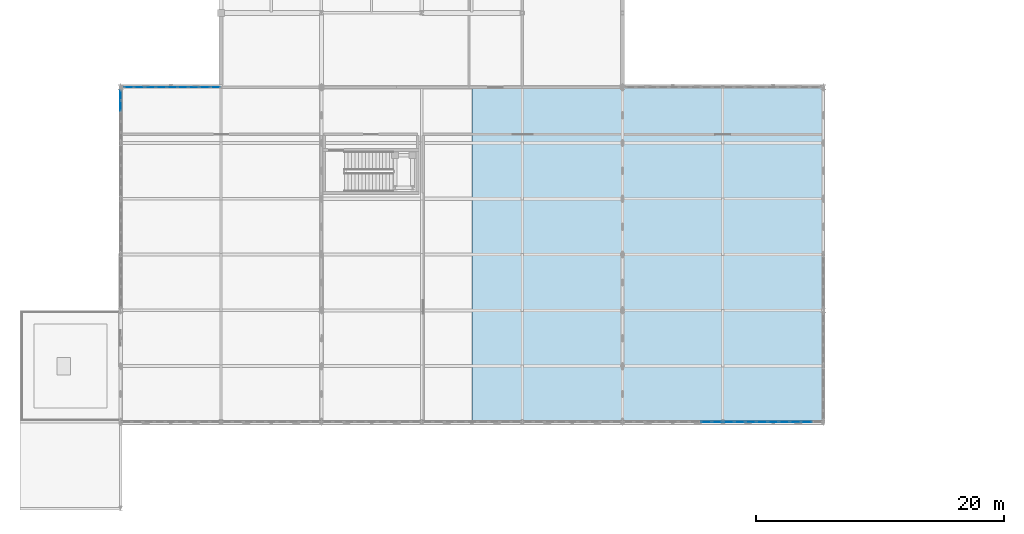
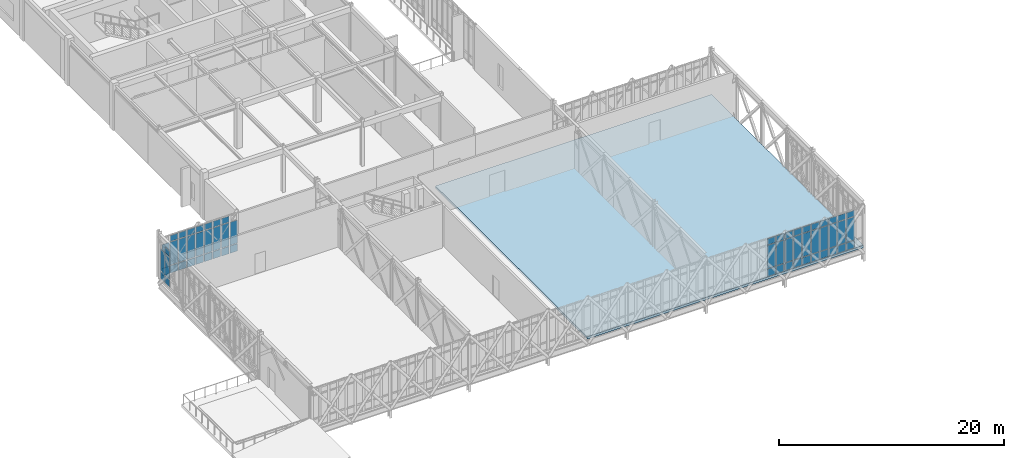
# One storey, part 67 of 107: 60 plates, 1 slab, 4 elements without a shape of their own.
"""IFC4 building model written with IfcOpenShell, lengths in metres."""

from ifc_helpers import new_model, si_unit, direction, frame, origin, origin_2d, place, context, subcontext, project, spatial, polyline, rectangle, outline, extrude, material, layer, layer_set, type_object, element, aggregate, save


model = new_model("IFC4")

# Units and contexts
model_context = context("Model", 3, precision=1e-05, world=origin(), true_north=direction((0.0, 1.0)))
body_context = subcontext(model_context, "Body", "Model", "MODEL_VIEW")
ifc_project = project(units=[si_unit("LENGTHUNIT", "METRE"), si_unit("AREAUNIT", "SQUARE_METRE"), si_unit("VOLUMEUNIT", "CUBIC_METRE"), si_unit("PLANEANGLEUNIT", "RADIAN"), si_unit("MASSUNIT", "GRAM", prefix="KILO")], contexts=[model_context])

# Site, building, storey
site_placement = place(None, origin())
site = spatial("IfcSite", under=ifc_project, at=site_placement, CompositionType="ELEMENT")
building_placement = place(site_placement, origin())
building = spatial("IfcBuilding", under=site, at=building_placement, Name="Tarnveldt Square Police Headquarters", CompositionType="ELEMENT")
storey_placement = place(building_placement, frame((0.0, 0.0, 14.699951171875)))
storey = spatial("IfcBuildingStorey", under=building, at=storey_placement, Name="L03", CompositionType="ELEMENT", Elevation=14.699951171875)

# Curtain wall, plates
ifc_material_1 = material(Name="UL 752 Level III laminated ballistic vision glass", Category="glass")
curtain_wall_type_1 = type_object("IfcCurtainWallType", Name="CW-BL-810x422", PredefinedType="USERDEFINED", material=ifc_material_1)
curtain_wall_1_placement = place(storey_placement, origin())
curtain_wall_1 = element("IfcCurtainWall", 1, at=curtain_wall_1_placement, inside=storey, type_object=curtain_wall_type_1, Name="L03 Curtain Wall CW-L03-028", ObjectType="BALLISTIC CURTAIN WALL", PredefinedType="USERDEFINED")
ifc_layer_1 = layer(ifc_material_1, 0.0380859375)
ifc_layer_set_1 = layer_set([ifc_layer_1], Name="UL 752 Level III laminated ballistic vision glass")
plate_type_1 = type_object("IfcPlateType", Name="CWP-BAL-38", PredefinedType="CURTAIN_PANEL", material=ifc_layer_set_1)
plate_1_placement = place(storey_placement, frame((55.35009765625, 7.0, 0.074951171875), z_axis=(0.0, 0.0, 1.0), x_axis=(1.0, 0.0, 0.0)))
plate_1 = element("IfcPlate", 2, at=plate_1_placement, type_object=plate_type_1, Name="CW-BL12 panel 8.1", PredefinedType="CURTAIN_PANEL", context=body_context, shape_type="SweptSolid", body=[
    extrude(rectangle(XDim=0.81494140625, YDim=0.0380859375, at=origin_2d()), origin(), (0.0, 0.0, 1.0), 0.78759765625),
])
plate_2_placement = place(storey_placement, frame((55.35009765625, 7.0, 0.9375), z_axis=(0.0, 0.0, 1.0), x_axis=(1.0, 0.0, 0.0)))
plate_2 = element("IfcPlate", 3, at=plate_2_placement, type_object=plate_type_1, Name="CW-BL12 panel 8.2", PredefinedType="CURTAIN_PANEL", context=body_context, shape_type="SweptSolid", body=[
    extrude(rectangle(XDim=0.81494140625, YDim=0.0380859375, at=origin_2d()), origin(), (0.0, 0.0, 1.0), 2.4951171875),
])
plate_3_placement = place(storey_placement, frame((55.35009765625, 7.0, 3.5078125), z_axis=(0.0, 0.0, 1.0), x_axis=(1.0, 0.0, 0.0)))
plate_3 = element("IfcPlate", 4, at=plate_3_placement, type_object=plate_type_1, Name="CW-BL12 panel 8.3", PredefinedType="CURTAIN_PANEL", context=body_context, shape_type="SweptSolid", body=[
    extrude(rectangle(XDim=0.81494140625, YDim=0.0380859375, at=origin_2d()), origin(), (0.0, 0.0, 1.0), 0.637451171875),
])
plate_4_placement = place(storey_placement, frame((56.228759765625, 7.0, 0.074951171875), z_axis=(0.0, 0.0, 1.0), x_axis=(1.0, 0.0, 0.0)))
plate_4 = element("IfcPlate", 5, at=plate_4_placement, type_object=plate_type_1, Name="CW-BL12 panel 9.1", PredefinedType="CURTAIN_PANEL", context=body_context, shape_type="SweptSolid", body=[
    extrude(rectangle(XDim=0.7724609375, YDim=0.0380859375, at=origin_2d()), origin(), (0.0, 0.0, 1.0), 0.78759765625),
])
plate_5_placement = place(storey_placement, frame((56.228759765625, 7.0, 0.9375), z_axis=(0.0, 0.0, 1.0), x_axis=(1.0, 0.0, 0.0)))
plate_5 = element("IfcPlate", 6, at=plate_5_placement, type_object=plate_type_1, Name="CW-BL12 panel 9.2", PredefinedType="CURTAIN_PANEL", context=body_context, shape_type="SweptSolid", body=[
    extrude(rectangle(XDim=0.7724609375, YDim=0.0380859375, at=origin_2d()), origin(), (0.0, 0.0, 1.0), 2.4951171875),
])
plate_6_placement = place(storey_placement, frame((56.228759765625, 7.0, 3.5078125), z_axis=(0.0, 0.0, 1.0), x_axis=(1.0, 0.0, 0.0)))
plate_6 = element("IfcPlate", 7, at=plate_6_placement, type_object=plate_type_1, Name="CW-BL12 panel 9.3", PredefinedType="CURTAIN_PANEL", context=body_context, shape_type="SweptSolid", body=[
    extrude(rectangle(XDim=0.7724609375, YDim=0.0380859375, at=origin_2d()), origin(), (0.0, 0.0, 1.0), 0.637451171875),
])
aggregate(curtain_wall_1, [plate_1, plate_2, plate_3, plate_4, plate_5, plate_6])

curtain_wall_2_placement = place(storey_placement, origin())
curtain_wall_2 = element("IfcCurtainWall", 8, at=curtain_wall_2_placement, inside=storey, type_object=curtain_wall_type_1, Name="L03 Curtain Wall CW-L03-029", ObjectType="BALLISTIC CURTAIN WALL", PredefinedType="USERDEFINED")
plate_7_placement = place(storey_placement, frame((57.171142578125, 7.0, 0.074951171875), z_axis=(0.0, 0.0, 1.0), x_axis=(1.0, 0.0, 0.0)))
plate_7 = element("IfcPlate", 9, at=plate_7_placement, type_object=plate_type_1, Name="CW-BL12 panel 1.1", PredefinedType="CURTAIN_PANEL", context=body_context, shape_type="SweptSolid", body=[
    extrude(rectangle(XDim=0.7724609375, YDim=0.0380859375, at=origin_2d()), origin(), (0.0, 0.0, 1.0), 0.78759765625),
])
plate_8_placement = place(storey_placement, frame((57.171142578125, 7.0, 0.9375), z_axis=(0.0, 0.0, 1.0), x_axis=(1.0, 0.0, 0.0)))
plate_8 = element("IfcPlate", 10, at=plate_8_placement, type_object=plate_type_1, Name="CW-BL12 panel 1.2", PredefinedType="CURTAIN_PANEL", context=body_context, shape_type="SweptSolid", body=[
    extrude(rectangle(XDim=0.7724609375, YDim=0.0380859375, at=origin_2d()), origin(), (0.0, 0.0, 1.0), 2.4951171875),
])
plate_9_placement = place(storey_placement, frame((57.171142578125, 7.0, 3.5078125), z_axis=(0.0, 0.0, 1.0), x_axis=(1.0, 0.0, 0.0)))
plate_9 = element("IfcPlate", 11, at=plate_9_placement, type_object=plate_type_1, Name="CW-BL12 panel 1.3", PredefinedType="CURTAIN_PANEL", context=body_context, shape_type="SweptSolid", body=[
    extrude(rectangle(XDim=0.7724609375, YDim=0.0380859375, at=origin_2d()), origin(), (0.0, 0.0, 1.0), 0.637451171875),
])
plate_10_placement = place(storey_placement, frame((58.050048828125, 7.0, 0.074951171875), z_axis=(0.0, 0.0, 1.0), x_axis=(1.0, 0.0, 0.0)))
plate_10 = element("IfcPlate", 12, at=plate_10_placement, type_object=plate_type_1, Name="CW-BL12 panel 2.1", PredefinedType="CURTAIN_PANEL", context=body_context, shape_type="SweptSolid", body=[
    extrude(rectangle(XDim=0.81494140625, YDim=0.0380859375, at=origin_2d()), origin(), (0.0, 0.0, 1.0), 0.78759765625),
])
plate_11_placement = place(storey_placement, frame((58.050048828125, 7.0, 0.9375), z_axis=(0.0, 0.0, 1.0), x_axis=(1.0, 0.0, 0.0)))
plate_11 = element("IfcPlate", 13, at=plate_11_placement, type_object=plate_type_1, Name="CW-BL12 panel 2.2", PredefinedType="CURTAIN_PANEL", context=body_context, shape_type="SweptSolid", body=[
    extrude(rectangle(XDim=0.81494140625, YDim=0.0380859375, at=origin_2d()), origin(), (0.0, 0.0, 1.0), 2.4951171875),
])
plate_12_placement = place(storey_placement, frame((58.050048828125, 7.0, 3.5078125), z_axis=(0.0, 0.0, 1.0), x_axis=(1.0, 0.0, 0.0)))
plate_12 = element("IfcPlate", 14, at=plate_12_placement, type_object=plate_type_1, Name="CW-BL12 panel 2.3", PredefinedType="CURTAIN_PANEL", context=body_context, shape_type="SweptSolid", body=[
    extrude(rectangle(XDim=0.81494140625, YDim=0.0380859375, at=origin_2d()), origin(), (0.0, 0.0, 1.0), 0.637451171875),
])
plate_13_placement = place(storey_placement, frame((58.949951171875, 7.0, 0.074951171875), z_axis=(0.0, 0.0, 1.0), x_axis=(1.0, 0.0, 0.0)))
plate_13 = element("IfcPlate", 15, at=plate_13_placement, type_object=plate_type_1, Name="CW-BL12 panel 3.1", PredefinedType="CURTAIN_PANEL", context=body_context, shape_type="SweptSolid", body=[
    extrude(rectangle(XDim=0.81494140625, YDim=0.0380859375, at=origin_2d()), origin(), (0.0, 0.0, 1.0), 0.78759765625),
])
plate_14_placement = place(storey_placement, frame((58.949951171875, 7.0, 0.9375), z_axis=(0.0, 0.0, 1.0), x_axis=(1.0, 0.0, 0.0)))
plate_14 = element("IfcPlate", 16, at=plate_14_placement, type_object=plate_type_1, Name="CW-BL12 panel 3.2", PredefinedType="CURTAIN_PANEL", context=body_context, shape_type="SweptSolid", body=[
    extrude(rectangle(XDim=0.81494140625, YDim=0.0380859375, at=origin_2d()), origin(), (0.0, 0.0, 1.0), 2.4951171875),
])
plate_15_placement = place(storey_placement, frame((58.949951171875, 7.0, 3.5078125), z_axis=(0.0, 0.0, 1.0), x_axis=(1.0, 0.0, 0.0)))
plate_15 = element("IfcPlate", 17, at=plate_15_placement, type_object=plate_type_1, Name="CW-BL12 panel 3.3", PredefinedType="CURTAIN_PANEL", context=body_context, shape_type="SweptSolid", body=[
    extrude(rectangle(XDim=0.81494140625, YDim=0.0380859375, at=origin_2d()), origin(), (0.0, 0.0, 1.0), 0.637451171875),
])
plate_16_placement = place(storey_placement, frame((59.85009765625, 7.0, 0.074951171875), z_axis=(0.0, 0.0, 1.0), x_axis=(1.0, 0.0, 0.0)))
plate_16 = element("IfcPlate", 18, at=plate_16_placement, type_object=plate_type_1, Name="CW-BL12 panel 4.1", PredefinedType="CURTAIN_PANEL", context=body_context, shape_type="SweptSolid", body=[
    extrude(rectangle(XDim=0.81494140625, YDim=0.0380859375, at=origin_2d()), origin(), (0.0, 0.0, 1.0), 0.78759765625),
])
plate_17_placement = place(storey_placement, frame((59.85009765625, 7.0, 0.9375), z_axis=(0.0, 0.0, 1.0), x_axis=(1.0, 0.0, 0.0)))
plate_17 = element("IfcPlate", 19, at=plate_17_placement, type_object=plate_type_1, Name="CW-BL12 panel 4.2", PredefinedType="CURTAIN_PANEL", context=body_context, shape_type="SweptSolid", body=[
    extrude(rectangle(XDim=0.81494140625, YDim=0.0380859375, at=origin_2d()), origin(), (0.0, 0.0, 1.0), 2.4951171875),
])
plate_18_placement = place(storey_placement, frame((59.85009765625, 7.0, 3.5078125), z_axis=(0.0, 0.0, 1.0), x_axis=(1.0, 0.0, 0.0)))
plate_18 = element("IfcPlate", 20, at=plate_18_placement, type_object=plate_type_1, Name="CW-BL12 panel 4.3", PredefinedType="CURTAIN_PANEL", context=body_context, shape_type="SweptSolid", body=[
    extrude(rectangle(XDim=0.81494140625, YDim=0.0380859375, at=origin_2d()), origin(), (0.0, 0.0, 1.0), 0.637451171875),
])
plate_19_placement = place(storey_placement, frame((60.75, 7.0, 0.074951171875), z_axis=(0.0, 0.0, 1.0), x_axis=(1.0, 0.0, 0.0)))
plate_19 = element("IfcPlate", 21, at=plate_19_placement, type_object=plate_type_1, Name="CW-BL12 panel 5.1", PredefinedType="CURTAIN_PANEL", context=body_context, shape_type="SweptSolid", body=[
    extrude(rectangle(XDim=0.81494140625, YDim=0.0380859375, at=origin_2d()), origin(), (0.0, 0.0, 1.0), 0.78759765625),
])
plate_20_placement = place(storey_placement, frame((60.75, 7.0, 0.9375), z_axis=(0.0, 0.0, 1.0), x_axis=(1.0, 0.0, 0.0)))
plate_20 = element("IfcPlate", 22, at=plate_20_placement, type_object=plate_type_1, Name="CW-BL12 panel 5.2", PredefinedType="CURTAIN_PANEL", context=body_context, shape_type="SweptSolid", body=[
    extrude(rectangle(XDim=0.81494140625, YDim=0.0380859375, at=origin_2d()), origin(), (0.0, 0.0, 1.0), 2.4951171875),
])
plate_21_placement = place(storey_placement, frame((60.75, 7.0, 3.5078125), z_axis=(0.0, 0.0, 1.0), x_axis=(1.0, 0.0, 0.0)))
plate_21 = element("IfcPlate", 23, at=plate_21_placement, type_object=plate_type_1, Name="CW-BL12 panel 5.3", PredefinedType="CURTAIN_PANEL", context=body_context, shape_type="SweptSolid", body=[
    extrude(rectangle(XDim=0.81494140625, YDim=0.0380859375, at=origin_2d()), origin(), (0.0, 0.0, 1.0), 0.637451171875),
])
plate_22_placement = place(storey_placement, frame((61.64990234375, 7.0, 0.074951171875), z_axis=(0.0, 0.0, 1.0), x_axis=(1.0, 0.0, 0.0)))
plate_22 = element("IfcPlate", 24, at=plate_22_placement, type_object=plate_type_1, Name="CW-BL12 panel 6.1", PredefinedType="CURTAIN_PANEL", context=body_context, shape_type="SweptSolid", body=[
    extrude(rectangle(XDim=0.81494140625, YDim=0.0380859375, at=origin_2d()), origin(), (0.0, 0.0, 1.0), 0.78759765625),
])
plate_23_placement = place(storey_placement, frame((61.64990234375, 7.0, 0.9375), z_axis=(0.0, 0.0, 1.0), x_axis=(1.0, 0.0, 0.0)))
plate_23 = element("IfcPlate", 25, at=plate_23_placement, type_object=plate_type_1, Name="CW-BL12 panel 6.2", PredefinedType="CURTAIN_PANEL", context=body_context, shape_type="SweptSolid", body=[
    extrude(rectangle(XDim=0.81494140625, YDim=0.0380859375, at=origin_2d()), origin(), (0.0, 0.0, 1.0), 2.4951171875),
])
plate_24_placement = place(storey_placement, frame((61.64990234375, 7.0, 3.5078125), z_axis=(0.0, 0.0, 1.0), x_axis=(1.0, 0.0, 0.0)))
plate_24 = element("IfcPlate", 26, at=plate_24_placement, type_object=plate_type_1, Name="CW-BL12 panel 6.3", PredefinedType="CURTAIN_PANEL", context=body_context, shape_type="SweptSolid", body=[
    extrude(rectangle(XDim=0.81494140625, YDim=0.0380859375, at=origin_2d()), origin(), (0.0, 0.0, 1.0), 0.637451171875),
])
plate_25_placement = place(storey_placement, frame((62.550048828125, 7.0, 0.074951171875), z_axis=(0.0, 0.0, 1.0), x_axis=(1.0, 0.0, 0.0)))
plate_25 = element("IfcPlate", 27, at=plate_25_placement, type_object=plate_type_1, Name="CW-BL12 panel 7.1", PredefinedType="CURTAIN_PANEL", context=body_context, shape_type="SweptSolid", body=[
    extrude(rectangle(XDim=0.81494140625, YDim=0.0380859375, at=origin_2d()), origin(), (0.0, 0.0, 1.0), 0.78759765625),
])
plate_26_placement = place(storey_placement, frame((62.550048828125, 7.0, 0.9375), z_axis=(0.0, 0.0, 1.0), x_axis=(1.0, 0.0, 0.0)))
plate_26 = element("IfcPlate", 28, at=plate_26_placement, type_object=plate_type_1, Name="CW-BL12 panel 7.2", PredefinedType="CURTAIN_PANEL", context=body_context, shape_type="SweptSolid", body=[
    extrude(rectangle(XDim=0.81494140625, YDim=0.0380859375, at=origin_2d()), origin(), (0.0, 0.0, 1.0), 2.4951171875),
])
plate_27_placement = place(storey_placement, frame((62.550048828125, 7.0, 3.5078125), z_axis=(0.0, 0.0, 1.0), x_axis=(1.0, 0.0, 0.0)))
plate_27 = element("IfcPlate", 29, at=plate_27_placement, type_object=plate_type_1, Name="CW-BL12 panel 7.3", PredefinedType="CURTAIN_PANEL", context=body_context, shape_type="SweptSolid", body=[
    extrude(rectangle(XDim=0.81494140625, YDim=0.0380859375, at=origin_2d()), origin(), (0.0, 0.0, 1.0), 0.637451171875),
])
plate_28_placement = place(storey_placement, frame((63.449951171875, 7.0, 0.074951171875), z_axis=(0.0, 0.0, 1.0), x_axis=(1.0, 0.0, 0.0)))
plate_28 = element("IfcPlate", 30, at=plate_28_placement, type_object=plate_type_1, Name="CW-BL12 panel 8.1", PredefinedType="CURTAIN_PANEL", context=body_context, shape_type="SweptSolid", body=[
    extrude(rectangle(XDim=0.81494140625, YDim=0.0380859375, at=origin_2d()), origin(), (0.0, 0.0, 1.0), 0.78759765625),
])
plate_29_placement = place(storey_placement, frame((63.449951171875, 7.0, 0.9375), z_axis=(0.0, 0.0, 1.0), x_axis=(1.0, 0.0, 0.0)))
plate_29 = element("IfcPlate", 31, at=plate_29_placement, type_object=plate_type_1, Name="CW-BL12 panel 8.2", PredefinedType="CURTAIN_PANEL", context=body_context, shape_type="SweptSolid", body=[
    extrude(rectangle(XDim=0.81494140625, YDim=0.0380859375, at=origin_2d()), origin(), (0.0, 0.0, 1.0), 2.4951171875),
])
plate_30_placement = place(storey_placement, frame((63.449951171875, 7.0, 3.5078125), z_axis=(0.0, 0.0, 1.0), x_axis=(1.0, 0.0, 0.0)))
plate_30 = element("IfcPlate", 32, at=plate_30_placement, type_object=plate_type_1, Name="CW-BL12 panel 8.3", PredefinedType="CURTAIN_PANEL", context=body_context, shape_type="SweptSolid", body=[
    extrude(rectangle(XDim=0.81494140625, YDim=0.0380859375, at=origin_2d()), origin(), (0.0, 0.0, 1.0), 0.637451171875),
])
aggregate(curtain_wall_2, [plate_7, plate_8, plate_9, plate_10, plate_11, plate_12, plate_13, plate_14, plate_15, plate_16, plate_17, plate_18, plate_19, plate_20, plate_21, plate_22, plate_23, plate_24, plate_25, plate_26, plate_27, plate_28, plate_29, plate_30])

curtain_wall_type_2 = type_object("IfcCurtainWallType", Name="CW-BL-790x422", PredefinedType="USERDEFINED", material=ifc_material_1)
curtain_wall_3_placement = place(storey_placement, origin())
curtain_wall_3 = element("IfcCurtainWall", 33, at=curtain_wall_3_placement, inside=storey, type_object=curtain_wall_type_2, Name="L03 Curtain Wall CW-L03-030", ObjectType="BALLISTIC CURTAIN WALL", PredefinedType="USERDEFINED")
plate_31_placement = place(storey_placement, frame((8.761962890625, 34.0, 0.074951171875), z_axis=(0.0, 0.0, 1.0), x_axis=(1.0, 0.0, 0.0)))
plate_31 = element("IfcPlate", 34, at=plate_31_placement, type_object=plate_type_1, Name="CW-BL14 panel 1.1", PredefinedType="CURTAIN_PANEL", context=body_context, shape_type="SweptSolid", body=[
    extrude(rectangle(XDim=0.75, YDim=0.0380859375, at=origin_2d()), origin(), (0.0, 0.0, 1.0), 0.78759765625),
])
plate_32_placement = place(storey_placement, frame((8.761962890625, 34.0, 0.9375), z_axis=(0.0, 0.0, 1.0), x_axis=(1.0, 0.0, 0.0)))
plate_32 = element("IfcPlate", 35, at=plate_32_placement, type_object=plate_type_1, Name="CW-BL14 panel 1.2", PredefinedType="CURTAIN_PANEL", context=body_context, shape_type="SweptSolid", body=[
    extrude(rectangle(XDim=0.75, YDim=0.0380859375, at=origin_2d()), origin(), (0.0, 0.0, 1.0), 2.4951171875),
])
plate_33_placement = place(storey_placement, frame((9.618408203125, 34.0, 0.074951171875), z_axis=(0.0, 0.0, 1.0), x_axis=(1.0, 0.0, 0.0)))
plate_33 = element("IfcPlate", 36, at=plate_33_placement, type_object=plate_type_1, Name="CW-BL14 panel 2.1", PredefinedType="CURTAIN_PANEL", context=body_context, shape_type="SweptSolid", body=[
    extrude(rectangle(XDim=0.79248046875, YDim=0.0380859375, at=origin_2d()), origin(), (0.0, 0.0, 1.0), 0.78759765625),
])
plate_34_placement = place(storey_placement, frame((9.618408203125, 34.0, 0.9375), z_axis=(0.0, 0.0, 1.0), x_axis=(1.0, 0.0, 0.0)))
plate_34 = element("IfcPlate", 37, at=plate_34_placement, type_object=plate_type_1, Name="CW-BL14 panel 2.2", PredefinedType="CURTAIN_PANEL", context=body_context, shape_type="SweptSolid", body=[
    extrude(rectangle(XDim=0.79248046875, YDim=0.0380859375, at=origin_2d()), origin(), (0.0, 0.0, 1.0), 2.4951171875),
])
plate_35_placement = place(storey_placement, frame((9.618408203125, 34.0, 3.5078125), z_axis=(0.0, 0.0, 1.0), x_axis=(1.0, 0.0, 0.0)))
plate_35 = element("IfcPlate", 38, at=plate_35_placement, type_object=plate_type_1, Name="CW-BL14 panel 2.3", PredefinedType="CURTAIN_PANEL", context=body_context, shape_type="SweptSolid", body=[
    extrude(rectangle(XDim=0.79248046875, YDim=0.0380859375, at=origin_2d()), origin(), (0.0, 0.0, 1.0), 0.637451171875),
])
plate_36_placement = place(storey_placement, frame((10.495849609375, 34.0, 0.074951171875), z_axis=(0.0, 0.0, 1.0), x_axis=(1.0, 0.0, 0.0)))
plate_36 = element("IfcPlate", 39, at=plate_36_placement, type_object=plate_type_1, Name="CW-BL14 panel 3.1", PredefinedType="CURTAIN_PANEL", context=body_context, shape_type="SweptSolid", body=[
    extrude(rectangle(XDim=0.79248046875, YDim=0.0380859375, at=origin_2d()), origin(), (0.0, 0.0, 1.0), 0.78759765625),
])
plate_37_placement = place(storey_placement, frame((10.495849609375, 34.0, 0.9375), z_axis=(0.0, 0.0, 1.0), x_axis=(1.0, 0.0, 0.0)))
plate_37 = element("IfcPlate", 40, at=plate_37_placement, type_object=plate_type_1, Name="CW-BL14 panel 3.2", PredefinedType="CURTAIN_PANEL", context=body_context, shape_type="SweptSolid", body=[
    extrude(rectangle(XDim=0.79248046875, YDim=0.0380859375, at=origin_2d()), origin(), (0.0, 0.0, 1.0), 2.4951171875),
])
plate_38_placement = place(storey_placement, frame((10.495849609375, 34.0, 3.5078125), z_axis=(0.0, 0.0, 1.0), x_axis=(1.0, 0.0, 0.0)))
plate_38 = element("IfcPlate", 41, at=plate_38_placement, type_object=plate_type_1, Name="CW-BL14 panel 3.3", PredefinedType="CURTAIN_PANEL", context=body_context, shape_type="SweptSolid", body=[
    extrude(rectangle(XDim=0.79248046875, YDim=0.0380859375, at=origin_2d()), origin(), (0.0, 0.0, 1.0), 0.637451171875),
])
plate_39_placement = place(storey_placement, frame((11.37353515625, 34.0, 0.074951171875), z_axis=(0.0, 0.0, 1.0), x_axis=(1.0, 0.0, 0.0)))
plate_39 = element("IfcPlate", 42, at=plate_39_placement, type_object=plate_type_1, Name="CW-BL14 panel 4.1", PredefinedType="CURTAIN_PANEL", context=body_context, shape_type="SweptSolid", body=[
    extrude(rectangle(XDim=0.79248046875, YDim=0.0380859375, at=origin_2d()), origin(), (0.0, 0.0, 1.0), 0.78759765625),
])
plate_40_placement = place(storey_placement, frame((11.37353515625, 34.0, 0.9375), z_axis=(0.0, 0.0, 1.0), x_axis=(1.0, 0.0, 0.0)))
plate_40 = element("IfcPlate", 43, at=plate_40_placement, type_object=plate_type_1, Name="CW-BL14 panel 4.2", PredefinedType="CURTAIN_PANEL", context=body_context, shape_type="SweptSolid", body=[
    extrude(rectangle(XDim=0.79248046875, YDim=0.0380859375, at=origin_2d()), origin(), (0.0, 0.0, 1.0), 2.4951171875),
])
plate_41_placement = place(storey_placement, frame((11.37353515625, 34.0, 3.5078125), z_axis=(0.0, 0.0, 1.0), x_axis=(1.0, 0.0, 0.0)))
plate_41 = element("IfcPlate", 44, at=plate_41_placement, type_object=plate_type_1, Name="CW-BL14 panel 4.3", PredefinedType="CURTAIN_PANEL", context=body_context, shape_type="SweptSolid", body=[
    extrude(rectangle(XDim=0.79248046875, YDim=0.0380859375, at=origin_2d()), origin(), (0.0, 0.0, 1.0), 0.637451171875),
])
plate_42_placement = place(storey_placement, frame((12.2509765625, 34.0, 0.074951171875), z_axis=(0.0, 0.0, 1.0), x_axis=(1.0, 0.0, 0.0)))
plate_42 = element("IfcPlate", 45, at=plate_42_placement, type_object=plate_type_1, Name="CW-BL14 panel 5.1", PredefinedType="CURTAIN_PANEL", context=body_context, shape_type="SweptSolid", body=[
    extrude(rectangle(XDim=0.79248046875, YDim=0.0380859375, at=origin_2d()), origin(), (0.0, 0.0, 1.0), 0.78759765625),
])
plate_43_placement = place(storey_placement, frame((12.2509765625, 34.0, 0.9375), z_axis=(0.0, 0.0, 1.0), x_axis=(1.0, 0.0, 0.0)))
plate_43 = element("IfcPlate", 46, at=plate_43_placement, type_object=plate_type_1, Name="CW-BL14 panel 5.2", PredefinedType="CURTAIN_PANEL", context=body_context, shape_type="SweptSolid", body=[
    extrude(rectangle(XDim=0.79248046875, YDim=0.0380859375, at=origin_2d()), origin(), (0.0, 0.0, 1.0), 2.4951171875),
])
plate_44_placement = place(storey_placement, frame((12.2509765625, 34.0, 3.5078125), z_axis=(0.0, 0.0, 1.0), x_axis=(1.0, 0.0, 0.0)))
plate_44 = element("IfcPlate", 47, at=plate_44_placement, type_object=plate_type_1, Name="CW-BL14 panel 5.3", PredefinedType="CURTAIN_PANEL", context=body_context, shape_type="SweptSolid", body=[
    extrude(rectangle(XDim=0.79248046875, YDim=0.0380859375, at=origin_2d()), origin(), (0.0, 0.0, 1.0), 0.637451171875),
])
plate_45_placement = place(storey_placement, frame((13.128662109375, 34.0, 0.074951171875), z_axis=(0.0, 0.0, 1.0), x_axis=(1.0, 0.0, 0.0)))
plate_45 = element("IfcPlate", 48, at=plate_45_placement, type_object=plate_type_1, Name="CW-BL14 panel 6.1", PredefinedType="CURTAIN_PANEL", context=body_context, shape_type="SweptSolid", body=[
    extrude(rectangle(XDim=0.79248046875, YDim=0.0380859375, at=origin_2d()), origin(), (0.0, 0.0, 1.0), 0.78759765625),
])
plate_46_placement = place(storey_placement, frame((13.128662109375, 34.0, 0.9375), z_axis=(0.0, 0.0, 1.0), x_axis=(1.0, 0.0, 0.0)))
plate_46 = element("IfcPlate", 49, at=plate_46_placement, type_object=plate_type_1, Name="CW-BL14 panel 6.2", PredefinedType="CURTAIN_PANEL", context=body_context, shape_type="SweptSolid", body=[
    extrude(rectangle(XDim=0.79248046875, YDim=0.0380859375, at=origin_2d()), origin(), (0.0, 0.0, 1.0), 2.4951171875),
])
plate_47_placement = place(storey_placement, frame((13.128662109375, 34.0, 3.5078125), z_axis=(0.0, 0.0, 1.0), x_axis=(1.0, 0.0, 0.0)))
plate_47 = element("IfcPlate", 50, at=plate_47_placement, type_object=plate_type_1, Name="CW-BL14 panel 6.3", PredefinedType="CURTAIN_PANEL", context=body_context, shape_type="SweptSolid", body=[
    extrude(rectangle(XDim=0.79248046875, YDim=0.0380859375, at=origin_2d()), origin(), (0.0, 0.0, 1.0), 0.637451171875),
])
plate_48_placement = place(storey_placement, frame((14.006103515625, 34.0, 0.074951171875), z_axis=(0.0, 0.0, 1.0), x_axis=(1.0, 0.0, 0.0)))
plate_48 = element("IfcPlate", 51, at=plate_48_placement, type_object=plate_type_1, Name="CW-BL14 panel 7.1", PredefinedType="CURTAIN_PANEL", context=body_context, shape_type="SweptSolid", body=[
    extrude(rectangle(XDim=0.79248046875, YDim=0.0380859375, at=origin_2d()), origin(), (0.0, 0.0, 1.0), 0.78759765625),
])
plate_49_placement = place(storey_placement, frame((14.006103515625, 34.0, 0.9375), z_axis=(0.0, 0.0, 1.0), x_axis=(1.0, 0.0, 0.0)))
plate_49 = element("IfcPlate", 52, at=plate_49_placement, type_object=plate_type_1, Name="CW-BL14 panel 7.2", PredefinedType="CURTAIN_PANEL", context=body_context, shape_type="SweptSolid", body=[
    extrude(rectangle(XDim=0.79248046875, YDim=0.0380859375, at=origin_2d()), origin(), (0.0, 0.0, 1.0), 2.4951171875),
])
plate_50_placement = place(storey_placement, frame((14.006103515625, 34.0, 3.5078125), z_axis=(0.0, 0.0, 1.0), x_axis=(1.0, 0.0, 0.0)))
plate_50 = element("IfcPlate", 53, at=plate_50_placement, type_object=plate_type_1, Name="CW-BL14 panel 7.3", PredefinedType="CURTAIN_PANEL", context=body_context, shape_type="SweptSolid", body=[
    extrude(rectangle(XDim=0.79248046875, YDim=0.0380859375, at=origin_2d()), origin(), (0.0, 0.0, 1.0), 0.637451171875),
])
plate_51_placement = place(storey_placement, frame((14.883544921875, 34.0, 0.074951171875), z_axis=(0.0, 0.0, 1.0), x_axis=(1.0, 0.0, 0.0)))
plate_51 = element("IfcPlate", 54, at=plate_51_placement, type_object=plate_type_1, Name="CW-BL14 panel 8.1", PredefinedType="CURTAIN_PANEL", context=body_context, shape_type="SweptSolid", body=[
    extrude(rectangle(XDim=0.79248046875, YDim=0.0380859375, at=origin_2d()), origin(), (0.0, 0.0, 1.0), 0.78759765625),
])
plate_52_placement = place(storey_placement, frame((14.883544921875, 34.0, 0.9375), z_axis=(0.0, 0.0, 1.0), x_axis=(1.0, 0.0, 0.0)))
plate_52 = element("IfcPlate", 55, at=plate_52_placement, type_object=plate_type_1, Name="CW-BL14 panel 8.2", PredefinedType="CURTAIN_PANEL", context=body_context, shape_type="SweptSolid", body=[
    extrude(rectangle(XDim=0.79248046875, YDim=0.0380859375, at=origin_2d()), origin(), (0.0, 0.0, 1.0), 2.4951171875),
])
plate_53_placement = place(storey_placement, frame((14.883544921875, 34.0, 3.5078125), z_axis=(0.0, 0.0, 1.0), x_axis=(1.0, 0.0, 0.0)))
plate_53 = element("IfcPlate", 56, at=plate_53_placement, type_object=plate_type_1, Name="CW-BL14 panel 8.3", PredefinedType="CURTAIN_PANEL", context=body_context, shape_type="SweptSolid", body=[
    extrude(rectangle(XDim=0.79248046875, YDim=0.0380859375, at=origin_2d()), origin(), (0.0, 0.0, 1.0), 0.637451171875),
])
plate_54_placement = place(storey_placement, frame((15.739990234375, 34.0, 0.074951171875), z_axis=(0.0, 0.0, 1.0), x_axis=(1.0, 0.0, 0.0)))
plate_54 = element("IfcPlate", 57, at=plate_54_placement, type_object=plate_type_1, Name="CW-BL14 panel 9.1", PredefinedType="CURTAIN_PANEL", context=body_context, shape_type="SweptSolid", body=[
    extrude(rectangle(XDim=0.75, YDim=0.0380859375, at=origin_2d()), origin(), (0.0, 0.0, 1.0), 0.78759765625),
])
plate_55_placement = place(storey_placement, frame((15.739990234375, 34.0, 0.9375), z_axis=(0.0, 0.0, 1.0), x_axis=(1.0, 0.0, 0.0)))
plate_55 = element("IfcPlate", 58, at=plate_55_placement, type_object=plate_type_1, Name="CW-BL14 panel 9.2", PredefinedType="CURTAIN_PANEL", context=body_context, shape_type="SweptSolid", body=[
    extrude(rectangle(XDim=0.75, YDim=0.0380859375, at=origin_2d()), origin(), (0.0, 0.0, 1.0), 2.4951171875),
])
aggregate(curtain_wall_3, [plate_31, plate_32, plate_33, plate_34, plate_35, plate_36, plate_37, plate_38, plate_39, plate_40, plate_41, plate_42, plate_43, plate_44, plate_45, plate_46, plate_47, plate_48, plate_49, plate_50, plate_51, plate_52, plate_53, plate_54, plate_55])

ifc_material_2 = material(Name="Triple-glazed low-e laminated vision glass", Category="glass")
curtain_wall_type_3 = type_object("IfcCurtainWallType", Name="CW-LT-430x407", PredefinedType="USERDEFINED", material=ifc_material_2)
curtain_wall_4_placement = place(storey_placement, origin())
curtain_wall_4 = element("IfcCurtainWall", 59, at=curtain_wall_4_placement, inside=storey, type_object=curtain_wall_type_3, Name="L03 Curtain Wall CW-L03-036", ObjectType="GLAZED CURTAIN WALL", PredefinedType="USERDEFINED")
ifc_layer_2 = layer(ifc_material_2, 0.028076171875)
ifc_layer_set_2 = layer_set([ifc_layer_2], Name="Triple-glazed low-e laminated vision glass")
plate_type_2 = type_object("IfcPlateType", Name="CWP-VIS-28", PredefinedType="CURTAIN_PANEL", material=ifc_layer_set_2)
plate_56_placement = place(storey_placement, frame((8.10009765625, 32.508544921875, 0.074951171875), z_axis=(0.0, 0.0, 1.0), x_axis=(0.0, 1.0, 0.0)))
plate_56 = element("IfcPlate", 60, at=plate_56_placement, type_object=plate_type_2, Name="CW-LT15 panel 4.1", PredefinedType="CURTAIN_PANEL", context=body_context, shape_type="SweptSolid", body=[
    extrude(rectangle(XDim=0.78466796875, YDim=0.028076171875, at=origin_2d()), origin(), (0.0, 0.0, 1.0), 0.78759765625),
])
plate_57_placement = place(storey_placement, frame((8.10009765625, 32.508544921875, 0.9375), z_axis=(0.0, 0.0, 1.0), x_axis=(0.0, 1.0, 0.0)))
plate_57 = element("IfcPlate", 61, at=plate_57_placement, type_object=plate_type_2, Name="CW-LT15 panel 4.2", PredefinedType="CURTAIN_PANEL", context=body_context, shape_type="SweptSolid", body=[
    extrude(rectangle(XDim=0.78466796875, YDim=0.028076171875, at=origin_2d()), origin(), (0.0, 0.0, 1.0), 2.341064453125),
])
plate_58_placement = place(storey_placement, frame((8.10009765625, 32.508544921875, 3.353515625), z_axis=(0.0, 0.0, 1.0), x_axis=(0.0, 1.0, 0.0)))
plate_58 = element("IfcPlate", 62, at=plate_58_placement, type_object=plate_type_2, Name="CW-LT15 panel 4.3", PredefinedType="CURTAIN_PANEL", context=body_context, shape_type="SweptSolid", body=[
    extrude(rectangle(XDim=0.78466796875, YDim=0.028076171875, at=origin_2d()), origin(), (0.0, 0.0, 1.0), 0.637451171875),
])
plate_59_placement = place(storey_placement, frame((8.10009765625, 33.349365234375, 0.074951171875), z_axis=(0.0, 0.0, 1.0), x_axis=(0.0, 1.0, 0.0)))
plate_59 = element("IfcPlate", 63, at=plate_59_placement, type_object=plate_type_2, Name="CW-LT15 panel 5.1", PredefinedType="CURTAIN_PANEL", context=body_context, shape_type="SweptSolid", body=[
    extrude(rectangle(XDim=0.7470703125, YDim=0.028076171875, at=origin_2d()), origin(), (0.0, 0.0, 1.0), 0.78759765625),
])
plate_60_placement = place(storey_placement, frame((8.10009765625, 33.349365234375, 0.9375), z_axis=(0.0, 0.0, 1.0), x_axis=(0.0, 1.0, 0.0)))
plate_60 = element("IfcPlate", 64, at=plate_60_placement, type_object=plate_type_2, Name="CW-LT15 panel 5.2", PredefinedType="CURTAIN_PANEL", context=body_context, shape_type="SweptSolid", body=[
    extrude(rectangle(XDim=0.7470703125, YDim=0.028076171875, at=origin_2d()), origin(), (0.0, 0.0, 1.0), 2.341064453125),
])
aggregate(curtain_wall_4, [plate_56, plate_57, plate_58, plate_59, plate_60])

# Slab
ifc_material_3 = material(Name="Concrete 40 MPa", Category="concrete")
ifc_layer_3 = layer(ifc_material_3, 0.260009765625)
ifc_layer_set_3 = layer_set([ifc_layer_3], Name="Concrete 40 MPa")
slab_type = type_object("IfcSlabType", Name="SL-MID-260", PredefinedType="FLOOR", material=ifc_layer_set_3)
slab_placement = place(storey_placement, frame((0.0, 0.0, -0.260009765625)))
element("IfcSlab", 65, at=slab_placement, inside=storey, type_object=slab_type, Name="L03 Structural Floor Slab L03-V2-2", PredefinedType="FLOOR", context=body_context, shape_type="SweptSolid", body=[
    extrude(outline(polyline([(64.800048828125, 34.0), (64.800048828125, 7.0), (36.449951171875, 7.0), (36.449951171875, 34.0), (64.800048828125, 34.0)])), origin(), (0.0, 0.0, 1.0), 0.260009765625),
])

save(model, "model.ifc")
